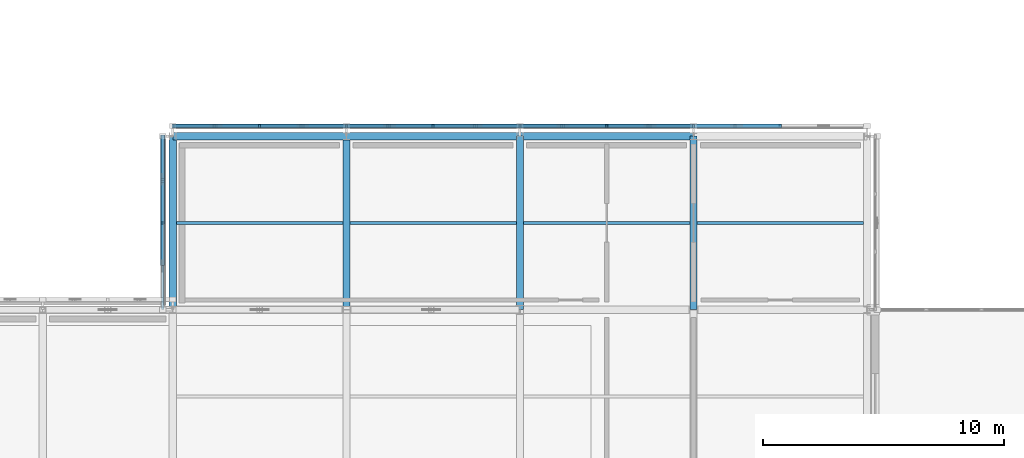
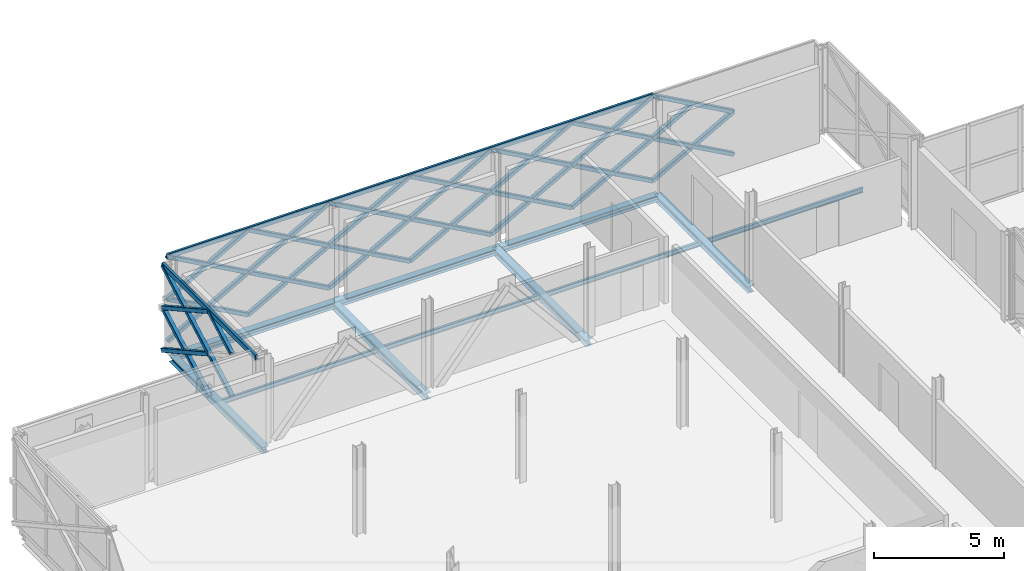
# One storey, part 50 of 103: 53 members, 11 beams.
"""IFC4 building model written with IfcOpenShell, lengths in metres."""

from ifc_helpers import new_model, si_unit, direction, frame, origin, origin_2d, place, context, subcontext, project, spatial, hollow_rectangle, i_section, extrude, material, material_profile, profile_set, type_object, element, save


model = new_model("IFC4")

# Units and contexts
model_context = context("Model", 3, precision=1e-05, world=origin(), true_north=direction((0.0, 1.0)))
body_context = subcontext(model_context, "Body", "Model", "MODEL_VIEW")
ifc_project = project(units=[si_unit("LENGTHUNIT", "METRE"), si_unit("AREAUNIT", "SQUARE_METRE"), si_unit("VOLUMEUNIT", "CUBIC_METRE"), si_unit("PLANEANGLEUNIT", "RADIAN"), si_unit("MASSUNIT", "GRAM", prefix="KILO")], contexts=[model_context])

# Site, building, storey
site_placement = place(None, origin())
site = spatial("IfcSite", under=ifc_project, at=site_placement, CompositionType="ELEMENT")
building_placement = place(site_placement, origin())
building = spatial("IfcBuilding", under=site, at=building_placement, Name="Zlatovets Crest Museum", CompositionType="ELEMENT")
storey_placement = place(building_placement, frame((0.0, 0.0, 12.89990234375)))
storey = spatial("IfcBuildingStorey", under=building, at=storey_placement, Name="L03", CompositionType="ELEMENT", Elevation=12.89990234375)

# Beams
ifc_material_1 = material(Name="Structural steel S355J2", Category="steel")
ifc_material_profile_1 = material_profile(ifc_material_1, i_section(OverallWidth=0.300048828125, OverallDepth=0.31005859375, WebThickness=0.009033203125, FlangeThickness=0.015380859375, FilletRadius=0.027099609375, at=origin_2d()), Name="HEA 320")
ifc_profile_set_1 = profile_set([ifc_material_profile_1], Name="Structural steel S355J2")
beam_type_1 = type_object("IfcBeamType", Name="Beam_B-04", PredefinedType="BEAM", material=ifc_profile_set_1)
for number, where, z_axis, x_axis, name in (
    (1, (7.199951171875, 93.60009765625, -0.39501953125), (0.0, 1.0, 0.0), (-1.0, 0.0, 0.0), "V4 L03 Grid Beam B-04"),
    (2, (14.39990234375, 93.60009765625, -0.39501953125), (0.0, 1.0, 0.0), (-1.0, 0.0, 0.0), "V4 L03 Grid Beam B-04"),
    (3, (21.60009765625, 93.60009765625, -0.39501953125), (0.0, 1.0, 0.0), (-1.0, 0.0, 0.0), "V4 L03 Grid Beam B-04"),
    (4, (28.800048828125, 93.60009765625, -0.39501953125), (0.0, 1.0, 0.0), (-1.0, 0.0, 0.0), "V4 L03 Grid Beam B-04"),
):
    element("IfcBeam", number, at=place(storey_placement, frame(where, z_axis=z_axis, x_axis=x_axis)), inside=storey, type_object=beam_type_1, Name=name, PredefinedType="BEAM", context=body_context, shape_type="SweptSolid", body=[
        extrude(i_section(OverallWidth=0.300048828125, OverallDepth=0.31005859375, WebThickness=0.009033203125, FlangeThickness=0.015380859375, FilletRadius=0.027099609375, at=origin_2d()), origin(), (0.0, 0.0, 1.0), 7.199951171875),
    ])
ifc_material_profile_2 = material_profile(ifc_material_1, i_section(OverallWidth=0.300048828125, OverallDepth=0.2900390625, WebThickness=0.008544921875, FlangeThickness=0.013916015625, FilletRadius=0.027099609375, at=origin_2d()), Name="HEA 300")
ifc_profile_set_2 = profile_set([ifc_material_profile_2], Name="Structural steel S355J2")
beam_type_2 = type_object("IfcBeamType", Name="Beam_B-12", PredefinedType="BEAM", material=ifc_profile_set_2)
beam_1_placement = place(storey_placement, frame((7.199951171875, 100.800048828125, -0.385009765625), z_axis=(1.0, 0.0, 0.0), x_axis=(0.0, 1.0, 0.0)))
element("IfcBeam", 5, at=beam_1_placement, inside=storey, type_object=beam_type_2, Name="V4 L03 Primary Girder B-12", PredefinedType="BEAM", context=body_context, shape_type="SweptSolid", body=[
    extrude(i_section(OverallWidth=0.300048828125, OverallDepth=0.2900390625, WebThickness=0.008544921875, FlangeThickness=0.013916015625, FilletRadius=0.027099609375, at=origin_2d()), origin(), (0.0, 0.0, 1.0), 7.199951171875),
])
beam_2_placement = place(storey_placement, frame((14.39990234375, 100.800048828125, -0.385009765625), z_axis=(1.0, 0.0, 0.0), x_axis=(0.0, 1.0, 0.0)))
element("IfcBeam", 6, at=beam_2_placement, inside=storey, type_object=beam_type_2, Name="V4 L03 Primary Girder B-12", PredefinedType="BEAM", context=body_context, shape_type="SweptSolid", body=[
    extrude(i_section(OverallWidth=0.300048828125, OverallDepth=0.2900390625, WebThickness=0.008544921875, FlangeThickness=0.013916015625, FilletRadius=0.027099609375, at=origin_2d()), origin(), (0.0, 0.0, 1.0), 7.2001953125),
])
beam_3_placement = place(storey_placement, frame((21.60009765625, 100.800048828125, -0.385009765625), z_axis=(1.0, 0.0, 0.0), x_axis=(0.0, 1.0, 0.0)))
element("IfcBeam", 7, at=beam_3_placement, inside=storey, type_object=beam_type_2, Name="V4 L03 Primary Girder B-12", PredefinedType="BEAM", context=body_context, shape_type="SweptSolid", body=[
    extrude(i_section(OverallWidth=0.300048828125, OverallDepth=0.2900390625, WebThickness=0.008544921875, FlangeThickness=0.013916015625, FilletRadius=0.027099609375, at=origin_2d()), origin(), (0.0, 0.0, 1.0), 7.199951171875),
])
ifc_material_profile_3 = material_profile(ifc_material_1, i_section(OverallWidth=0.110107421875, OverallDepth=0.219970703125, WebThickness=0.005859375, FlangeThickness=0.00927734375, FilletRadius=0.011962890625, at=origin_2d()), Name="IPE 220")
ifc_profile_set_3 = profile_set([ifc_material_profile_3], Name="Structural steel S355J2")
beam_type_3 = type_object("IfcBeamType", Name="Beam_J-10", PredefinedType="JOIST", material=ifc_profile_set_3)
for number, where, z_axis, x_axis, name in (
    (8, (7.35009765625, 97.199951171875, -0.349853515625), (1.0, 0.0, 0.0), (0.0, 1.0, 0.0), "V4 L03 Composite Joist J-10"),
    (9, (14.550048828125, 97.199951171875, -0.349853515625), (1.0, 0.0, 0.0), (0.0, 1.0, 0.0), "V4 L03 Composite Joist J-10"),
    (10, (21.75, 97.199951171875, -0.349853515625), (1.0, 0.0, 0.0), (0.0, 1.0, 0.0), "V4 L03 Composite Joist J-10"),
):
    element("IfcBeam", number, at=place(storey_placement, frame(where, z_axis=z_axis, x_axis=x_axis)), inside=storey, type_object=beam_type_3, Name=name, PredefinedType="JOIST", context=body_context, shape_type="SweptSolid", body=[
        extrude(i_section(OverallWidth=0.110107421875, OverallDepth=0.219970703125, WebThickness=0.005859375, FlangeThickness=0.00927734375, FilletRadius=0.011962890625, at=origin_2d()), origin(), (0.0, 0.0, 1.0), 6.89990234375),
    ])
beam_4_placement = place(storey_placement, frame((28.949951171875, 97.199951171875, -0.349853515625), z_axis=(1.0, 0.0, 0.0), x_axis=(0.0, 1.0, 0.0)))
element("IfcBeam", 11, at=beam_4_placement, inside=storey, type_object=beam_type_3, Name="V4 L03 Composite Joist J-10", PredefinedType="JOIST", context=body_context, shape_type="SweptSolid", body=[
    extrude(i_section(OverallWidth=0.110107421875, OverallDepth=0.219970703125, WebThickness=0.005859375, FlangeThickness=0.00927734375, FilletRadius=0.011962890625, at=origin_2d()), origin(), (0.0, 0.0, 1.0), 6.900146484375),
])

# Members
ifc_material_2 = material(Name="Weathering bronze-steel S355J2W", Category="steel")
ifc_material_profile_4 = material_profile(ifc_material_2, hollow_rectangle(XDim=0.179931640625, YDim=0.179931640625, WallThickness=0.010009765625, InnerFilletRadius=0.010009765625, OuterFilletRadius=0.02001953125, at=origin_2d()), Name="SHS 180x180x10.0")
ifc_profile_set_4 = profile_set([ifc_material_profile_4], Name="Weathering bronze-steel S355J2W")
member_type_1 = type_object("IfcMemberType", Name="Lattice_XL-01", PredefinedType="BRACE", material=ifc_profile_set_4)
member_1_placement = place(storey_placement, frame((14.39990234375, 101.219970703125, 0.10009765625), z_axis=(-0.874148886685, 0.0, 0.485658031857), x_axis=(0.0, -1.0, 0.0)))
element("IfcMember", 12, at=member_1_placement, inside=storey, type_object=member_type_1, Name="Continuous Bronze Lattice Diagonal", PredefinedType="BRACE", context=body_context, shape_type="SweptSolid", body=[
    extrude(hollow_rectangle(XDim=0.179931640625, YDim=0.179931640625, WallThickness=0.010009765625, InnerFilletRadius=0.010009765625, OuterFilletRadius=0.02001953125, at=origin_2d()), origin(), (0.0, 0.0, 1.0), 4.1181640625),
])
member_2_placement = place(storey_placement, frame((14.39990234375, 101.219970703125, 2.10009765625), z_axis=(-0.874139684676, 0.0, -0.48567459443), x_axis=(0.0, -1.0, 0.0)))
element("IfcMember", 13, at=member_2_placement, inside=storey, type_object=member_type_1, Name="Split Crossing Bronze Lattice Diagonal Upper", PredefinedType="BRACE", context=body_context, shape_type="SweptSolid", body=[
    extrude(hollow_rectangle(XDim=0.179931640625, YDim=0.179931640625, WallThickness=0.010009765625, InnerFilletRadius=0.010009765625, OuterFilletRadius=0.02001953125, at=origin_2d()), origin(), (0.0, 0.0, 1.0), 1.9638671875),
])
member_3_placement = place(storey_placement, frame((12.51708984375, 101.219970703125, 1.053955078125), z_axis=(-0.874169001841, 0.0, -0.485621824284), x_axis=(0.0, -1.0, 0.0)))
element("IfcMember", 14, at=member_3_placement, inside=storey, type_object=member_type_1, Name="Split Crossing Bronze Lattice Diagonal Lower", PredefinedType="BRACE", context=body_context, shape_type="SweptSolid", body=[
    extrude(hollow_rectangle(XDim=0.179931640625, YDim=0.179931640625, WallThickness=0.010009765625, InnerFilletRadius=0.010009765625, OuterFilletRadius=0.02001953125, at=origin_2d()), origin(), (0.0, 0.0, 1.0), 1.964111328125),
])
member_4_placement = place(storey_placement, frame((10.800048828125, 101.219970703125, 0.10009765625), z_axis=(-0.874162868644, 0.0, 0.485632864501), x_axis=(0.0, -1.0, 0.0)))
element("IfcMember", 15, at=member_4_placement, inside=storey, type_object=member_type_1, Name="Continuous Bronze Lattice Diagonal", PredefinedType="BRACE", context=body_context, shape_type="SweptSolid", body=[
    extrude(hollow_rectangle(XDim=0.179931640625, YDim=0.179931640625, WallThickness=0.010009765625, InnerFilletRadius=0.010009765625, OuterFilletRadius=0.02001953125, at=origin_2d()), origin(), (0.0, 0.0, 1.0), 4.118408203125),
])
for number, where, z_axis, x_axis, name in (
    (16, (10.800048828125, 101.219970703125, 2.10009765625), (-0.874169001841, 0.0, -0.485621824284), (0.0, -1.0, 0.0), "Split Crossing Bronze Lattice Diagonal Upper"),
    (17, (8.9169921875, 101.219970703125, 1.053955078125), (-0.874169001841, 0.0, -0.485621824284), (0.0, -1.0, 0.0), "Split Crossing Bronze Lattice Diagonal Lower"),
):
    element("IfcMember", number, at=place(storey_placement, frame(where, z_axis=z_axis, x_axis=x_axis)), inside=storey, type_object=member_type_1, Name=name, PredefinedType="BRACE", context=body_context, shape_type="SweptSolid", body=[
        extrude(hollow_rectangle(XDim=0.179931640625, YDim=0.179931640625, WallThickness=0.010009765625, InnerFilletRadius=0.010009765625, OuterFilletRadius=0.02001953125, at=origin_2d()), origin(), (0.0, 0.0, 1.0), 1.964111328125),
    ])
member_5_placement = place(storey_placement, frame((14.39990234375, 101.219970703125, 2.10009765625), z_axis=(-0.874148886685, 0.0, 0.485658031857), x_axis=(0.0, -1.0, 0.0)))
element("IfcMember", 18, at=member_5_placement, inside=storey, type_object=member_type_1, Name="Continuous Bronze Lattice Diagonal", PredefinedType="BRACE", context=body_context, shape_type="SweptSolid", body=[
    extrude(hollow_rectangle(XDim=0.179931640625, YDim=0.179931640625, WallThickness=0.010009765625, InnerFilletRadius=0.010009765625, OuterFilletRadius=0.02001953125, at=origin_2d()), origin(), (0.0, 0.0, 1.0), 4.1181640625),
])
member_6_placement = place(storey_placement, frame((14.39990234375, 101.219970703125, 4.10009765625), z_axis=(-0.874139684676, 0.0, -0.48567459443), x_axis=(0.0, -1.0, 0.0)))
element("IfcMember", 19, at=member_6_placement, inside=storey, type_object=member_type_1, Name="Split Crossing Bronze Lattice Diagonal Upper", PredefinedType="BRACE", context=body_context, shape_type="SweptSolid", body=[
    extrude(hollow_rectangle(XDim=0.179931640625, YDim=0.179931640625, WallThickness=0.010009765625, InnerFilletRadius=0.010009765625, OuterFilletRadius=0.02001953125, at=origin_2d()), origin(), (0.0, 0.0, 1.0), 1.9638671875),
])
member_7_placement = place(storey_placement, frame((12.51708984375, 101.219970703125, 3.053955078125), z_axis=(-0.874169001841, 0.0, -0.485621824284), x_axis=(0.0, -1.0, 0.0)))
element("IfcMember", 20, at=member_7_placement, inside=storey, type_object=member_type_1, Name="Split Crossing Bronze Lattice Diagonal Lower", PredefinedType="BRACE", context=body_context, shape_type="SweptSolid", body=[
    extrude(hollow_rectangle(XDim=0.179931640625, YDim=0.179931640625, WallThickness=0.010009765625, InnerFilletRadius=0.010009765625, OuterFilletRadius=0.02001953125, at=origin_2d()), origin(), (0.0, 0.0, 1.0), 1.964111328125),
])
member_8_placement = place(storey_placement, frame((10.800048828125, 101.219970703125, 2.10009765625), z_axis=(-0.874162868644, 0.0, 0.485632864501), x_axis=(0.0, -1.0, 0.0)))
element("IfcMember", 21, at=member_8_placement, inside=storey, type_object=member_type_1, Name="Continuous Bronze Lattice Diagonal", PredefinedType="BRACE", context=body_context, shape_type="SweptSolid", body=[
    extrude(hollow_rectangle(XDim=0.179931640625, YDim=0.179931640625, WallThickness=0.010009765625, InnerFilletRadius=0.010009765625, OuterFilletRadius=0.02001953125, at=origin_2d()), origin(), (0.0, 0.0, 1.0), 4.118408203125),
])
for number, where, z_axis, x_axis, name in (
    (22, (10.800048828125, 101.219970703125, 4.10009765625), (-0.874169001841, 0.0, -0.485621824284), (0.0, -1.0, 0.0), "Split Crossing Bronze Lattice Diagonal Upper"),
    (23, (8.9169921875, 101.219970703125, 3.053955078125), (-0.874169001841, 0.0, -0.485621824284), (0.0, -1.0, 0.0), "Split Crossing Bronze Lattice Diagonal Lower"),
):
    element("IfcMember", number, at=place(storey_placement, frame(where, z_axis=z_axis, x_axis=x_axis)), inside=storey, type_object=member_type_1, Name=name, PredefinedType="BRACE", context=body_context, shape_type="SweptSolid", body=[
        extrude(hollow_rectangle(XDim=0.179931640625, YDim=0.179931640625, WallThickness=0.010009765625, InnerFilletRadius=0.010009765625, OuterFilletRadius=0.02001953125, at=origin_2d()), origin(), (0.0, 0.0, 1.0), 1.964111328125),
    ])
member_9_placement = place(storey_placement, frame((21.60009765625, 101.219970703125, 0.10009765625), z_axis=(-0.874162868644, 0.0, 0.485632864501), x_axis=(0.0, -1.0, 0.0)))
element("IfcMember", 24, at=member_9_placement, inside=storey, type_object=member_type_1, Name="Continuous Bronze Lattice Diagonal", PredefinedType="BRACE", context=body_context, shape_type="SweptSolid", body=[
    extrude(hollow_rectangle(XDim=0.179931640625, YDim=0.179931640625, WallThickness=0.010009765625, InnerFilletRadius=0.010009765625, OuterFilletRadius=0.02001953125, at=origin_2d()), origin(), (0.0, 0.0, 1.0), 4.118408203125),
])
for number, where, z_axis, x_axis, name in (
    (25, (21.60009765625, 101.219970703125, 2.10009765625), (-0.874169001841, 0.0, -0.485621824284), (0.0, -1.0, 0.0), "Split Crossing Bronze Lattice Diagonal Upper"),
    (26, (19.717041015625, 101.219970703125, 1.053955078125), (-0.874169001841, 0.0, -0.485621824284), (0.0, -1.0, 0.0), "Split Crossing Bronze Lattice Diagonal Lower"),
):
    element("IfcMember", number, at=place(storey_placement, frame(where, z_axis=z_axis, x_axis=x_axis)), inside=storey, type_object=member_type_1, Name=name, PredefinedType="BRACE", context=body_context, shape_type="SweptSolid", body=[
        extrude(hollow_rectangle(XDim=0.179931640625, YDim=0.179931640625, WallThickness=0.010009765625, InnerFilletRadius=0.010009765625, OuterFilletRadius=0.02001953125, at=origin_2d()), origin(), (0.0, 0.0, 1.0), 1.964111328125),
    ])
member_10_placement = place(storey_placement, frame((18.0, 101.219970703125, 0.10009765625), z_axis=(-0.874162868644, 0.0, 0.485632864501), x_axis=(0.0, -1.0, 0.0)))
element("IfcMember", 27, at=member_10_placement, inside=storey, type_object=member_type_1, Name="Continuous Bronze Lattice Diagonal", PredefinedType="BRACE", context=body_context, shape_type="SweptSolid", body=[
    extrude(hollow_rectangle(XDim=0.179931640625, YDim=0.179931640625, WallThickness=0.010009765625, InnerFilletRadius=0.010009765625, OuterFilletRadius=0.02001953125, at=origin_2d()), origin(), (0.0, 0.0, 1.0), 4.118408203125),
])
for number, where, z_axis, x_axis, name in (
    (28, (18.0, 101.219970703125, 2.10009765625), (-0.874169001841, 0.0, -0.485621824284), (0.0, -1.0, 0.0), "Split Crossing Bronze Lattice Diagonal Upper"),
    (29, (16.116943359375, 101.219970703125, 1.053955078125), (-0.874169001841, 0.0, -0.485621824284), (0.0, -1.0, 0.0), "Split Crossing Bronze Lattice Diagonal Lower"),
):
    element("IfcMember", number, at=place(storey_placement, frame(where, z_axis=z_axis, x_axis=x_axis)), inside=storey, type_object=member_type_1, Name=name, PredefinedType="BRACE", context=body_context, shape_type="SweptSolid", body=[
        extrude(hollow_rectangle(XDim=0.179931640625, YDim=0.179931640625, WallThickness=0.010009765625, InnerFilletRadius=0.010009765625, OuterFilletRadius=0.02001953125, at=origin_2d()), origin(), (0.0, 0.0, 1.0), 1.964111328125),
    ])
member_11_placement = place(storey_placement, frame((21.60009765625, 101.219970703125, 2.10009765625), z_axis=(-0.874162868644, 0.0, 0.485632864501), x_axis=(0.0, -1.0, 0.0)))
element("IfcMember", 30, at=member_11_placement, inside=storey, type_object=member_type_1, Name="Continuous Bronze Lattice Diagonal", PredefinedType="BRACE", context=body_context, shape_type="SweptSolid", body=[
    extrude(hollow_rectangle(XDim=0.179931640625, YDim=0.179931640625, WallThickness=0.010009765625, InnerFilletRadius=0.010009765625, OuterFilletRadius=0.02001953125, at=origin_2d()), origin(), (0.0, 0.0, 1.0), 4.118408203125),
])
for number, where, z_axis, x_axis, name in (
    (31, (21.60009765625, 101.219970703125, 4.10009765625), (-0.874169001841, 0.0, -0.485621824284), (0.0, -1.0, 0.0), "Split Crossing Bronze Lattice Diagonal Upper"),
    (32, (19.717041015625, 101.219970703125, 3.053955078125), (-0.874169001841, 0.0, -0.485621824284), (0.0, -1.0, 0.0), "Split Crossing Bronze Lattice Diagonal Lower"),
):
    element("IfcMember", number, at=place(storey_placement, frame(where, z_axis=z_axis, x_axis=x_axis)), inside=storey, type_object=member_type_1, Name=name, PredefinedType="BRACE", context=body_context, shape_type="SweptSolid", body=[
        extrude(hollow_rectangle(XDim=0.179931640625, YDim=0.179931640625, WallThickness=0.010009765625, InnerFilletRadius=0.010009765625, OuterFilletRadius=0.02001953125, at=origin_2d()), origin(), (0.0, 0.0, 1.0), 1.964111328125),
    ])
member_12_placement = place(storey_placement, frame((18.0, 101.219970703125, 2.10009765625), z_axis=(-0.874162868644, 0.0, 0.485632864501), x_axis=(0.0, -1.0, 0.0)))
element("IfcMember", 33, at=member_12_placement, inside=storey, type_object=member_type_1, Name="Continuous Bronze Lattice Diagonal", PredefinedType="BRACE", context=body_context, shape_type="SweptSolid", body=[
    extrude(hollow_rectangle(XDim=0.179931640625, YDim=0.179931640625, WallThickness=0.010009765625, InnerFilletRadius=0.010009765625, OuterFilletRadius=0.02001953125, at=origin_2d()), origin(), (0.0, 0.0, 1.0), 4.118408203125),
])
for number, where, z_axis, x_axis, name in (
    (34, (18.0, 101.219970703125, 4.10009765625), (-0.874169001841, 0.0, -0.485621824284), (0.0, -1.0, 0.0), "Split Crossing Bronze Lattice Diagonal Upper"),
    (35, (16.116943359375, 101.219970703125, 3.053955078125), (-0.874169001841, 0.0, -0.485621824284), (0.0, -1.0, 0.0), "Split Crossing Bronze Lattice Diagonal Lower"),
):
    element("IfcMember", number, at=place(storey_placement, frame(where, z_axis=z_axis, x_axis=x_axis)), inside=storey, type_object=member_type_1, Name=name, PredefinedType="BRACE", context=body_context, shape_type="SweptSolid", body=[
        extrude(hollow_rectangle(XDim=0.179931640625, YDim=0.179931640625, WallThickness=0.010009765625, InnerFilletRadius=0.010009765625, OuterFilletRadius=0.02001953125, at=origin_2d()), origin(), (0.0, 0.0, 1.0), 1.964111328125),
    ])
member_13_placement = place(storey_placement, frame((28.800048828125, 101.219970703125, 0.10009765625), z_axis=(-0.874162868644, 0.0, 0.485632864501), x_axis=(0.0, -1.0, 0.0)))
element("IfcMember", 36, at=member_13_placement, inside=storey, type_object=member_type_1, Name="Continuous Bronze Lattice Diagonal", PredefinedType="BRACE", context=body_context, shape_type="SweptSolid", body=[
    extrude(hollow_rectangle(XDim=0.179931640625, YDim=0.179931640625, WallThickness=0.010009765625, InnerFilletRadius=0.010009765625, OuterFilletRadius=0.02001953125, at=origin_2d()), origin(), (0.0, 0.0, 1.0), 4.118408203125),
])
for number, where, z_axis, x_axis, name in (
    (37, (28.800048828125, 101.219970703125, 2.10009765625), (-0.874169001841, 0.0, -0.485621824284), (0.0, -1.0, 0.0), "Split Crossing Bronze Lattice Diagonal Upper"),
    (38, (26.9169921875, 101.219970703125, 1.053955078125), (-0.874169001841, 0.0, -0.485621824284), (0.0, -1.0, 0.0), "Split Crossing Bronze Lattice Diagonal Lower"),
):
    element("IfcMember", number, at=place(storey_placement, frame(where, z_axis=z_axis, x_axis=x_axis)), inside=storey, type_object=member_type_1, Name=name, PredefinedType="BRACE", context=body_context, shape_type="SweptSolid", body=[
        extrude(hollow_rectangle(XDim=0.179931640625, YDim=0.179931640625, WallThickness=0.010009765625, InnerFilletRadius=0.010009765625, OuterFilletRadius=0.02001953125, at=origin_2d()), origin(), (0.0, 0.0, 1.0), 1.964111328125),
    ])
member_14_placement = place(storey_placement, frame((25.199951171875, 101.219970703125, 0.10009765625), z_axis=(-0.874148886685, 0.0, 0.485658031857), x_axis=(0.0, -1.0, 0.0)))
element("IfcMember", 39, at=member_14_placement, inside=storey, type_object=member_type_1, Name="Continuous Bronze Lattice Diagonal", PredefinedType="BRACE", context=body_context, shape_type="SweptSolid", body=[
    extrude(hollow_rectangle(XDim=0.179931640625, YDim=0.179931640625, WallThickness=0.010009765625, InnerFilletRadius=0.010009765625, OuterFilletRadius=0.02001953125, at=origin_2d()), origin(), (0.0, 0.0, 1.0), 4.1181640625),
])
member_15_placement = place(storey_placement, frame((25.199951171875, 101.219970703125, 2.10009765625), z_axis=(-0.874169001841, 0.0, -0.485621824284), x_axis=(0.0, -1.0, 0.0)))
element("IfcMember", 40, at=member_15_placement, inside=storey, type_object=member_type_1, Name="Split Crossing Bronze Lattice Diagonal Upper", PredefinedType="BRACE", context=body_context, shape_type="SweptSolid", body=[
    extrude(hollow_rectangle(XDim=0.179931640625, YDim=0.179931640625, WallThickness=0.010009765625, InnerFilletRadius=0.010009765625, OuterFilletRadius=0.02001953125, at=origin_2d()), origin(), (0.0, 0.0, 1.0), 1.964111328125),
])
member_16_placement = place(storey_placement, frame((23.31689453125, 101.219970703125, 1.053955078125), z_axis=(-0.874139684676, 0.0, -0.48567459443), x_axis=(0.0, -1.0, 0.0)))
element("IfcMember", 41, at=member_16_placement, inside=storey, type_object=member_type_1, Name="Split Crossing Bronze Lattice Diagonal Lower", PredefinedType="BRACE", context=body_context, shape_type="SweptSolid", body=[
    extrude(hollow_rectangle(XDim=0.179931640625, YDim=0.179931640625, WallThickness=0.010009765625, InnerFilletRadius=0.010009765625, OuterFilletRadius=0.02001953125, at=origin_2d()), origin(), (0.0, 0.0, 1.0), 1.9638671875),
])
member_17_placement = place(storey_placement, frame((28.800048828125, 101.219970703125, 2.10009765625), z_axis=(-0.874162868644, 0.0, 0.485632864501), x_axis=(0.0, -1.0, 0.0)))
element("IfcMember", 42, at=member_17_placement, inside=storey, type_object=member_type_1, Name="Continuous Bronze Lattice Diagonal", PredefinedType="BRACE", context=body_context, shape_type="SweptSolid", body=[
    extrude(hollow_rectangle(XDim=0.179931640625, YDim=0.179931640625, WallThickness=0.010009765625, InnerFilletRadius=0.010009765625, OuterFilletRadius=0.02001953125, at=origin_2d()), origin(), (0.0, 0.0, 1.0), 4.118408203125),
])
for number, where, z_axis, x_axis, name in (
    (43, (28.800048828125, 101.219970703125, 4.10009765625), (-0.874169001841, 0.0, -0.485621824284), (0.0, -1.0, 0.0), "Split Crossing Bronze Lattice Diagonal Upper"),
    (44, (26.9169921875, 101.219970703125, 3.053955078125), (-0.874169001841, 0.0, -0.485621824284), (0.0, -1.0, 0.0), "Split Crossing Bronze Lattice Diagonal Lower"),
):
    element("IfcMember", number, at=place(storey_placement, frame(where, z_axis=z_axis, x_axis=x_axis)), inside=storey, type_object=member_type_1, Name=name, PredefinedType="BRACE", context=body_context, shape_type="SweptSolid", body=[
        extrude(hollow_rectangle(XDim=0.179931640625, YDim=0.179931640625, WallThickness=0.010009765625, InnerFilletRadius=0.010009765625, OuterFilletRadius=0.02001953125, at=origin_2d()), origin(), (0.0, 0.0, 1.0), 1.964111328125),
    ])
member_18_placement = place(storey_placement, frame((25.199951171875, 101.219970703125, 2.10009765625), z_axis=(-0.874148886685, 0.0, 0.485658031857), x_axis=(0.0, -1.0, 0.0)))
element("IfcMember", 45, at=member_18_placement, inside=storey, type_object=member_type_1, Name="Continuous Bronze Lattice Diagonal", PredefinedType="BRACE", context=body_context, shape_type="SweptSolid", body=[
    extrude(hollow_rectangle(XDim=0.179931640625, YDim=0.179931640625, WallThickness=0.010009765625, InnerFilletRadius=0.010009765625, OuterFilletRadius=0.02001953125, at=origin_2d()), origin(), (0.0, 0.0, 1.0), 4.1181640625),
])
member_19_placement = place(storey_placement, frame((25.199951171875, 101.219970703125, 4.10009765625), z_axis=(-0.874169001841, 0.0, -0.485621824284), x_axis=(0.0, -1.0, 0.0)))
element("IfcMember", 46, at=member_19_placement, inside=storey, type_object=member_type_1, Name="Split Crossing Bronze Lattice Diagonal Upper", PredefinedType="BRACE", context=body_context, shape_type="SweptSolid", body=[
    extrude(hollow_rectangle(XDim=0.179931640625, YDim=0.179931640625, WallThickness=0.010009765625, InnerFilletRadius=0.010009765625, OuterFilletRadius=0.02001953125, at=origin_2d()), origin(), (0.0, 0.0, 1.0), 1.964111328125),
])
member_20_placement = place(storey_placement, frame((23.31689453125, 101.219970703125, 3.053955078125), z_axis=(-0.874139684676, 0.0, -0.48567459443), x_axis=(0.0, -1.0, 0.0)))
element("IfcMember", 47, at=member_20_placement, inside=storey, type_object=member_type_1, Name="Split Crossing Bronze Lattice Diagonal Lower", PredefinedType="BRACE", context=body_context, shape_type="SweptSolid", body=[
    extrude(hollow_rectangle(XDim=0.179931640625, YDim=0.179931640625, WallThickness=0.010009765625, InnerFilletRadius=0.010009765625, OuterFilletRadius=0.02001953125, at=origin_2d()), origin(), (0.0, 0.0, 1.0), 1.9638671875),
])
member_21_placement = place(storey_placement, frame((32.39990234375, 101.219970703125, 0.10009765625), z_axis=(-0.874148886685, 0.0, 0.485658031857), x_axis=(0.0, -1.0, 0.0)))
element("IfcMember", 48, at=member_21_placement, inside=storey, type_object=member_type_1, Name="Continuous Bronze Lattice Diagonal", PredefinedType="BRACE", context=body_context, shape_type="SweptSolid", body=[
    extrude(hollow_rectangle(XDim=0.179931640625, YDim=0.179931640625, WallThickness=0.010009765625, InnerFilletRadius=0.010009765625, OuterFilletRadius=0.02001953125, at=origin_2d()), origin(), (0.0, 0.0, 1.0), 4.1181640625),
])
member_22_placement = place(storey_placement, frame((32.39990234375, 101.219970703125, 2.10009765625), z_axis=(-0.874139684676, 0.0, -0.48567459443), x_axis=(0.0, -1.0, 0.0)))
element("IfcMember", 49, at=member_22_placement, inside=storey, type_object=member_type_1, Name="Split Crossing Bronze Lattice Diagonal Upper", PredefinedType="BRACE", context=body_context, shape_type="SweptSolid", body=[
    extrude(hollow_rectangle(XDim=0.179931640625, YDim=0.179931640625, WallThickness=0.010009765625, InnerFilletRadius=0.010009765625, OuterFilletRadius=0.02001953125, at=origin_2d()), origin(), (0.0, 0.0, 1.0), 1.9638671875),
])
member_23_placement = place(storey_placement, frame((30.51708984375, 101.219970703125, 1.053955078125), z_axis=(-0.874169001841, 0.0, -0.485621824284), x_axis=(0.0, -1.0, 0.0)))
element("IfcMember", 50, at=member_23_placement, inside=storey, type_object=member_type_1, Name="Split Crossing Bronze Lattice Diagonal Lower", PredefinedType="BRACE", context=body_context, shape_type="SweptSolid", body=[
    extrude(hollow_rectangle(XDim=0.179931640625, YDim=0.179931640625, WallThickness=0.010009765625, InnerFilletRadius=0.010009765625, OuterFilletRadius=0.02001953125, at=origin_2d()), origin(), (0.0, 0.0, 1.0), 1.964111328125),
])
member_24_placement = place(storey_placement, frame((32.39990234375, 101.219970703125, 2.10009765625), z_axis=(-0.874148886685, 0.0, 0.485658031857), x_axis=(0.0, -1.0, 0.0)))
element("IfcMember", 51, at=member_24_placement, inside=storey, type_object=member_type_1, Name="Continuous Bronze Lattice Diagonal", PredefinedType="BRACE", context=body_context, shape_type="SweptSolid", body=[
    extrude(hollow_rectangle(XDim=0.179931640625, YDim=0.179931640625, WallThickness=0.010009765625, InnerFilletRadius=0.010009765625, OuterFilletRadius=0.02001953125, at=origin_2d()), origin(), (0.0, 0.0, 1.0), 4.1181640625),
])
member_25_placement = place(storey_placement, frame((30.51708984375, 101.219970703125, 3.053955078125), z_axis=(-0.874169001841, 0.0, -0.485621824284), x_axis=(0.0, -1.0, 0.0)))
element("IfcMember", 52, at=member_25_placement, inside=storey, type_object=member_type_1, Name="Split Crossing Bronze Lattice Diagonal Lower", PredefinedType="BRACE", context=body_context, shape_type="SweptSolid", body=[
    extrude(hollow_rectangle(XDim=0.179931640625, YDim=0.179931640625, WallThickness=0.010009765625, InnerFilletRadius=0.010009765625, OuterFilletRadius=0.02001953125, at=origin_2d()), origin(), (0.0, 0.0, 1.0), 1.964111328125),
])
member_26_placement = place(storey_placement, frame((6.780029296875, 100.800048828125, 0.10009765625), z_axis=(0.0, -0.874162868644, 0.485632864501), x_axis=(1.0, 0.0, 0.0)))
element("IfcMember", 53, at=member_26_placement, inside=storey, type_object=member_type_1, Name="Continuous Bronze Lattice Diagonal", PredefinedType="BRACE", context=body_context, shape_type="SweptSolid", body=[
    extrude(hollow_rectangle(XDim=0.179931640625, YDim=0.179931640625, WallThickness=0.010009765625, InnerFilletRadius=0.010009765625, OuterFilletRadius=0.02001953125, at=origin_2d()), origin(), (0.0, 0.0, 1.0), 4.118408203125),
])
for number, where, z_axis, x_axis, name in (
    (54, (6.780029296875, 100.800048828125, 2.10009765625), (0.0, -0.874169001841, -0.485621824284), (1.0, 0.0, 0.0), "Split Crossing Bronze Lattice Diagonal Upper"),
    (55, (6.780029296875, 98.9169921875, 1.053955078125), (0.0, -0.874169001841, -0.485621824284), (1.0, 0.0, 0.0), "Split Crossing Bronze Lattice Diagonal Lower"),
    (56, (6.780029296875, 97.199951171875, 2.10009765625), (0.0, -0.874169001841, -0.485621824284), (1.0, 0.0, 0.0), "Split Crossing Bronze Lattice Diagonal Upper"),
):
    element("IfcMember", number, at=place(storey_placement, frame(where, z_axis=z_axis, x_axis=x_axis)), inside=storey, type_object=member_type_1, Name=name, PredefinedType="BRACE", context=body_context, shape_type="SweptSolid", body=[
        extrude(hollow_rectangle(XDim=0.179931640625, YDim=0.179931640625, WallThickness=0.010009765625, InnerFilletRadius=0.010009765625, OuterFilletRadius=0.02001953125, at=origin_2d()), origin(), (0.0, 0.0, 1.0), 1.964111328125),
    ])
member_27_placement = place(storey_placement, frame((6.780029296875, 100.800048828125, 2.10009765625), z_axis=(0.0, -0.874162868644, 0.485632864501), x_axis=(1.0, 0.0, 0.0)))
element("IfcMember", 57, at=member_27_placement, inside=storey, type_object=member_type_1, Name="Continuous Bronze Lattice Diagonal", PredefinedType="BRACE", context=body_context, shape_type="SweptSolid", body=[
    extrude(hollow_rectangle(XDim=0.179931640625, YDim=0.179931640625, WallThickness=0.010009765625, InnerFilletRadius=0.010009765625, OuterFilletRadius=0.02001953125, at=origin_2d()), origin(), (0.0, 0.0, 1.0), 4.118408203125),
])
for number, where, z_axis, x_axis, name in (
    (58, (6.780029296875, 100.800048828125, 4.10009765625), (0.0, -0.874169001841, -0.485621824284), (1.0, 0.0, 0.0), "Split Crossing Bronze Lattice Diagonal Upper"),
    (59, (6.780029296875, 98.9169921875, 3.053955078125), (0.0, -0.874169001841, -0.485621824284), (1.0, 0.0, 0.0), "Split Crossing Bronze Lattice Diagonal Lower"),
    (60, (6.780029296875, 97.199951171875, 4.10009765625), (0.0, -0.874169001841, -0.485621824284), (1.0, 0.0, 0.0), "Split Crossing Bronze Lattice Diagonal Upper"),
):
    element("IfcMember", number, at=place(storey_placement, frame(where, z_axis=z_axis, x_axis=x_axis)), inside=storey, type_object=member_type_1, Name=name, PredefinedType="BRACE", context=body_context, shape_type="SweptSolid", body=[
        extrude(hollow_rectangle(XDim=0.179931640625, YDim=0.179931640625, WallThickness=0.010009765625, InnerFilletRadius=0.010009765625, OuterFilletRadius=0.02001953125, at=origin_2d()), origin(), (0.0, 0.0, 1.0), 1.964111328125),
    ])
ifc_material_profile_5 = material_profile(ifc_material_2, hollow_rectangle(XDim=0.1201171875, YDim=0.239990234375, WallThickness=0.010009765625, InnerFilletRadius=0.010009765625, OuterFilletRadius=0.02001953125, at=origin_2d()), Name="RHS 120x240x10.0")
ifc_profile_set_5 = profile_set([ifc_material_profile_5], Name="Weathering bronze-steel S355J2W")
member_type_2 = type_object("IfcMemberType", Name="Lattice_XL-04", PredefinedType="CHORD", material=ifc_profile_set_5)
member_28_placement = place(storey_placement, frame((14.39990234375, 101.219970703125, 4.10009765625), z_axis=(-1.0, 0.0, 0.0), x_axis=(0.0, -1.0, 0.0)))
element("IfcMember", 61, at=member_28_placement, inside=storey, type_object=member_type_2, Name="Art Nouveau Woven Cage Collector Ring Chord", PredefinedType="CHORD", context=body_context, shape_type="SweptSolid", body=[
    extrude(hollow_rectangle(XDim=0.1201171875, YDim=0.239990234375, WallThickness=0.010009765625, InnerFilletRadius=0.010009765625, OuterFilletRadius=0.02001953125, at=origin_2d()), origin(), (0.0, 0.0, 1.0), 7.199951171875),
])
member_29_placement = place(storey_placement, frame((21.60009765625, 101.219970703125, 4.10009765625), z_axis=(-1.0, 0.0, 0.0), x_axis=(0.0, -1.0, 0.0)))
element("IfcMember", 62, at=member_29_placement, inside=storey, type_object=member_type_2, Name="Art Nouveau Woven Cage Collector Ring Chord", PredefinedType="CHORD", context=body_context, shape_type="SweptSolid", body=[
    extrude(hollow_rectangle(XDim=0.1201171875, YDim=0.239990234375, WallThickness=0.010009765625, InnerFilletRadius=0.010009765625, OuterFilletRadius=0.02001953125, at=origin_2d()), origin(), (0.0, 0.0, 1.0), 7.2001953125),
])
for number, where, z_axis, x_axis, name in (
    (63, (28.800048828125, 101.219970703125, 4.10009765625), (-1.0, 0.0, 0.0), (0.0, -1.0, 0.0), "Art Nouveau Woven Cage Collector Ring Chord"),
    (64, (6.780029296875, 100.800048828125, 4.10009765625), (0.0, -1.0, 0.0), (1.0, 0.0, 0.0), "Art Nouveau Woven Cage Collector Ring Chord"),
):
    element("IfcMember", number, at=place(storey_placement, frame(where, z_axis=z_axis, x_axis=x_axis)), inside=storey, type_object=member_type_2, Name=name, PredefinedType="CHORD", context=body_context, shape_type="SweptSolid", body=[
        extrude(hollow_rectangle(XDim=0.1201171875, YDim=0.239990234375, WallThickness=0.010009765625, InnerFilletRadius=0.010009765625, OuterFilletRadius=0.02001953125, at=origin_2d()), origin(), (0.0, 0.0, 1.0), 7.199951171875),
    ])

save(model, "model.ifc")
